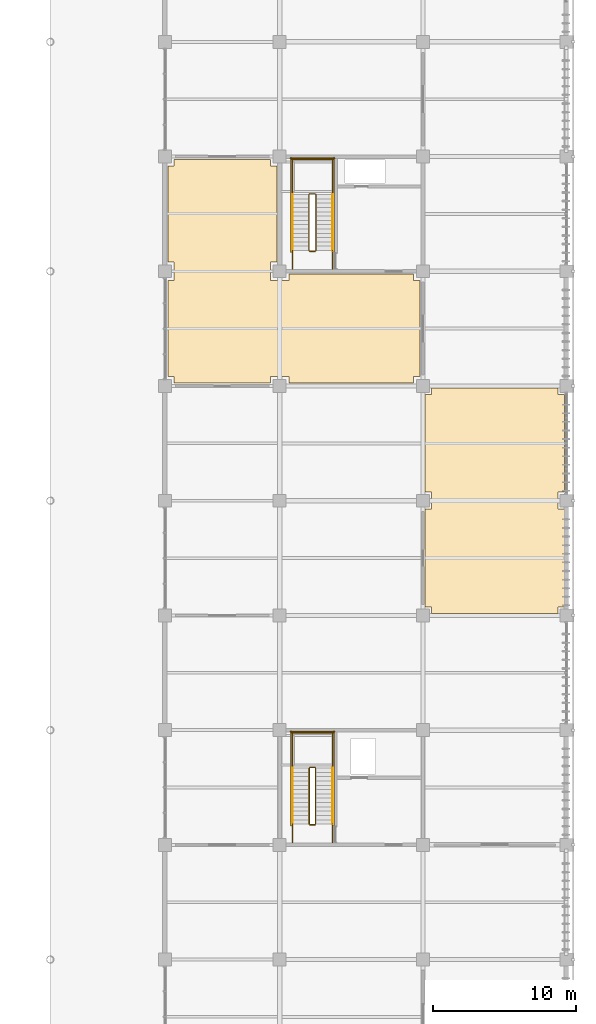
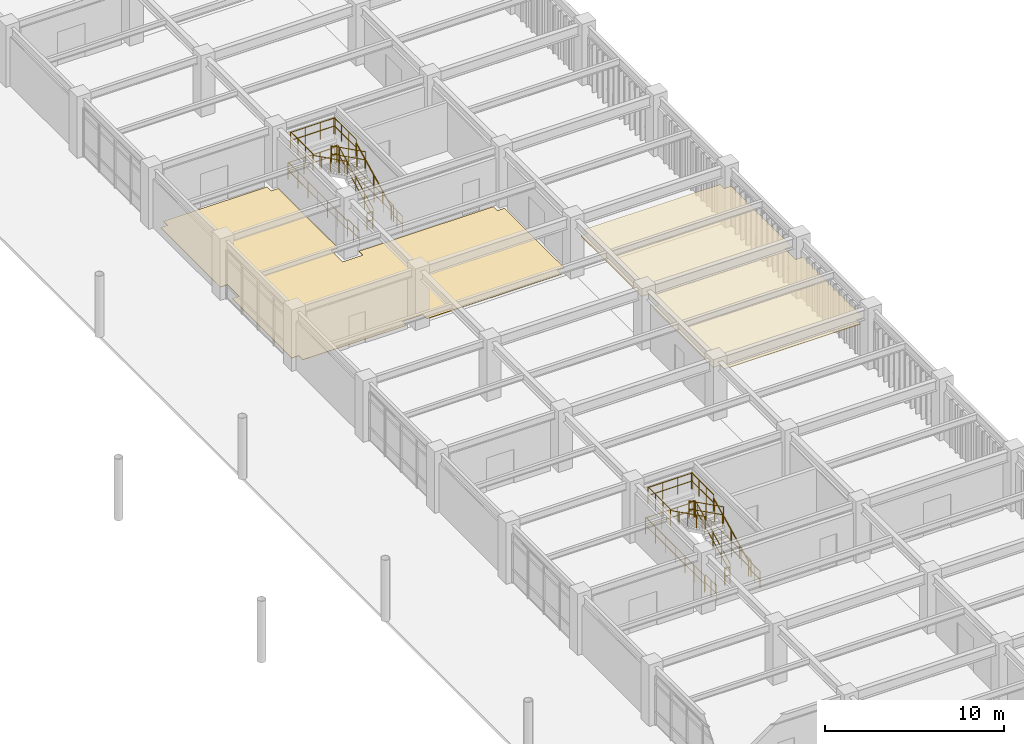
# One storey, part 114 of 118: 28 railings, 2 coverings.
"""IFC4 building model written with IfcOpenShell, lengths in metres."""

from ifc_helpers import new_model, si_unit, direction, frame, origin, origin_2d, place, context, subcontext, project, spatial, polyline, circle, outline, extrude, material, layer, layer_set, type_object, element, save


model = new_model("IFC4")

# Units and contexts
model_context = context("Model", 3, precision=1e-05, world=origin(), true_north=direction((0.0, 1.0)))
body_context = subcontext(model_context, "Body", "Model", "MODEL_VIEW")
ifc_project = project(units=[si_unit("LENGTHUNIT", "METRE"), si_unit("AREAUNIT", "SQUARE_METRE"), si_unit("VOLUMEUNIT", "CUBIC_METRE"), si_unit("PLANEANGLEUNIT", "RADIAN"), si_unit("MASSUNIT", "GRAM", prefix="KILO")], contexts=[model_context])

# Site, building, storey
site_placement = place(None, origin())
site = spatial("IfcSite", under=ifc_project, at=site_placement, CompositionType="ELEMENT")
building_placement = place(site_placement, origin())
building = spatial("IfcBuilding", under=site, at=building_placement, Name="Haebicheon Civic Stadium", CompositionType="ELEMENT")
storey_placement = place(building_placement, frame((0.0, 0.0, 14.39990234375)))
storey = spatial("IfcBuildingStorey", under=building, at=storey_placement, Name="L04", CompositionType="ELEMENT", Elevation=14.39990234375)

# Coverings
ifc_material_1 = material(Name="Perforated mineral-fibre acoustic board", Category="gypsum")
ifc_layer_1 = layer(ifc_material_1, 0.0400390625, Name="Perforated mineral-fibre acoustic board")
ifc_layer_set_1 = layer_set([ifc_layer_1], Name="Perforated mineral-fibre acoustic board")
covering_type_1 = type_object("IfcCoveringType", Name="COV-CLG-AC", PredefinedType="CEILING", material=ifc_layer_set_1)
covering_1_placement = place(storey_placement, frame((0.0, 0.0, 2.81005859375)))
element("IfcCovering", 1, at=covering_1_placement, inside=storey, type_object=covering_type_1, material=ifc_layer_set_1, Name="L04 Community Club Suite acoustic ceiling", PredefinedType="CEILING", context=body_context, shape_type="SweptSolid", body=[
    extrude(outline(polyline([(226.594970703125, 80.14501953125), (226.594970703125, 80.594970703125), (226.14501953125, 80.594970703125), (226.14501953125, 87.405029296875), (226.594970703125, 87.405029296875), (226.594970703125, 88.594970703125), (226.14501953125, 88.594970703125), (226.14501953125, 95.405029296875), (226.594970703125, 95.405029296875), (226.594970703125, 95.85498046875), (235.405029296875, 95.85498046875), (235.405029296875, 95.405029296875), (235.85498046875, 95.405029296875), (235.85498046875, 88.594970703125), (235.405029296875, 88.594970703125), (235.405029296875, 87.405029296875), (235.85498046875, 87.405029296875), (235.85498046875, 80.594970703125), (235.405029296875, 80.594970703125), (235.405029296875, 80.14501953125), (226.594970703125, 80.14501953125)])), origin(), (0.0, 0.0, 1.0), 0.0400390625),
])
ifc_material_2 = material(Name="Quartz epoxy resin mortar", Category="concrete")
ifc_layer_2 = layer(ifc_material_2, 0.030029296875, Name="Quartz epoxy resin mortar")
ifc_layer_set_2 = layer_set([ifc_layer_2], Name="Quartz epoxy resin mortar")
covering_type_2 = type_object("IfcCoveringType", Name="COV-FLR-EPX", PredefinedType="FLOORING", material=ifc_layer_set_2)
covering_2_placement = place(storey_placement, origin())
element("IfcCovering", 2, at=covering_2_placement, inside=storey, type_object=covering_type_2, material=ifc_layer_set_2, Name="L04 Community Club Suite non-slip floor finish", PredefinedType="FLOORING", context=body_context, shape_type="SweptSolid", body=[
    extrude(outline(polyline([(208.199951171875, 103.35009765625), (208.64990234375, 103.35009765625), (208.64990234375, 104.64990234375), (208.199951171875, 104.64990234375), (208.199951171875, 111.35009765625), (208.64990234375, 111.35009765625), (208.64990234375, 111.800048828125), (215.35009765625, 111.800048828125), (215.35009765625, 111.35009765625), (215.800048828125, 111.35009765625), (215.800048828125, 104.64990234375), (215.35009765625, 104.64990234375), (215.35009765625, 103.35009765625), (216.64990234375, 103.35009765625), (216.64990234375, 103.800048828125), (225.35009765625, 103.800048828125), (225.35009765625, 103.35009765625), (225.800048828125, 103.35009765625), (225.800048828125, 96.64990234375), (225.35009765625, 96.64990234375), (225.35009765625, 96.199951171875), (216.64990234375, 96.199951171875), (216.64990234375, 96.64990234375), (215.35009765625, 96.64990234375), (215.35009765625, 96.199951171875), (208.64990234375, 96.199951171875), (208.64990234375, 96.64990234375), (208.199951171875, 96.64990234375), (208.199951171875, 103.35009765625)])), origin(), (0.0, 0.0, 1.0), 0.030029296875),
])

# Railings
ifc_material_3 = material(Name="Galvanised painted steel SM355", Category="steel")
railing_type_1 = type_object("IfcRailingType", Name="RL-GRD-1150", PredefinedType="GUARDRAIL", material=ifc_material_3)
railing_1_placement = place(storey_placement, frame((218.510009765625, 65.449951171875, 0.150146484375)))
element("IfcRailing", 3, at=railing_1_placement, inside=storey, type_object=railing_type_1, material=ifc_material_3, Name="L04 ST-12 stair guard 1", PredefinedType="GUARDRAIL", context=body_context, shape_type="SweptSolid", body=[
    extrude(circle(Radius=0.02392578125, at=origin_2d()), frame((0.0, 0.0, 1.1259765625), z_axis=(0.0, 0.894438388696, 0.447191199406), x_axis=(-1.0, 0.0, 0.0)), (0.0, 0.0, 1.0), 4.3603515625),
    extrude(circle(Radius=0.02392578125, at=origin_2d()), frame((0.0, 0.0, 0.574951171875), z_axis=(0.0, 0.894438388696, 0.447191199406), x_axis=(-1.0, 0.0, 0.0)), (0.0, 0.0, 1.0), 4.3603515625),
    extrude(circle(Radius=0.02099609375, at=origin_2d()), origin(), (0.0, 0.0, 1.0), 1.101806640625),
    extrude(circle(Radius=0.02099609375, at=origin_2d()), frame((0.0, 0.97509765625, 0.487548828125)), (0.0, 0.0, 1.0), 1.101806640625),
    extrude(circle(Radius=0.02099609375, at=origin_2d()), frame((0.0, 1.9501953125, 0.97509765625)), (0.0, 0.0, 1.0), 1.101806640625),
    extrude(circle(Radius=0.02099609375, at=origin_2d()), frame((0.0, 2.925048828125, 1.46240234375)), (0.0, 0.0, 1.0), 1.101806640625),
    extrude(circle(Radius=0.02099609375, at=origin_2d()), frame((0.0, 3.900146484375, 1.949951171875)), (0.0, 0.0, 1.0), 1.101806640625),
])
railing_2_placement = place(storey_placement, frame((218.4599609375, 69.39990234375, 2.10009765625)))
element("IfcRailing", 4, at=railing_2_placement, inside=storey, type_object=railing_type_1, material=ifc_material_3, Name="L04 ST-12 stair guard 2", PredefinedType="GUARDRAIL", context=body_context, shape_type="SweptSolid", body=[
    extrude(circle(Radius=0.02392578125, at=origin_2d()), frame((0.0, 0.0, 1.1259765625), z_axis=(-1.0, 0.0, 0.0), x_axis=(0.0, -1.0, 0.0)), (0.0, 0.0, 1.0), 0.33984375),
    extrude(circle(Radius=0.02392578125, at=origin_2d()), frame((0.0, 0.0, 0.574951171875), z_axis=(-1.0, 0.0, 0.0), x_axis=(0.0, -1.0, 0.0)), (0.0, 0.0, 1.0), 0.33984375),
    extrude(circle(Radius=0.02099609375, at=origin_2d()), origin(), (0.0, 0.0, 1.0), 1.101806640625),
    extrude(circle(Radius=0.02099609375, at=origin_2d()), frame((-0.33984375, 0.0, 0.0)), (0.0, 0.0, 1.0), 1.101806640625),
])
for number, where, name in (
    (5, (219.68994140625, 69.35009765625, 2.10009765625), "L04 ST-12 stair guard 3"),
    (6, (216.889892578125, 69.35009765625, 2.10009765625), "L04 ST-12 stair guard 4"),
):
    element("IfcRailing", number, at=place(storey_placement, frame(where)), inside=storey, type_object=railing_type_1, material=ifc_material_3, Name=name, PredefinedType="GUARDRAIL", context=body_context, shape_type="SweptSolid", body=[
        extrude(circle(Radius=0.02392578125, at=origin_2d()), frame((0.0, 0.0, 1.1259765625), z_axis=(0.0, 1.0, 0.0), x_axis=(-1.0, 0.0, 0.0)), (0.0, 0.0, 1.0), 2.489990234375),
        extrude(circle(Radius=0.02392578125, at=origin_2d()), frame((0.0, 0.0, 0.574951171875), z_axis=(0.0, 1.0, 0.0), x_axis=(-1.0, 0.0, 0.0)), (0.0, 0.0, 1.0), 2.489990234375),
        extrude(circle(Radius=0.02099609375, at=origin_2d()), origin(), (0.0, 0.0, 1.0), 1.101806640625),
        extrude(circle(Radius=0.02099609375, at=origin_2d()), frame((0.0, 0.830078125, 0.0)), (0.0, 0.0, 1.0), 1.101806640625),
        extrude(circle(Radius=0.02099609375, at=origin_2d()), frame((0.0, 1.659912109375, 0.0)), (0.0, 0.0, 1.0), 1.101806640625),
        extrude(circle(Radius=0.02099609375, at=origin_2d()), frame((0.0, 2.489990234375, 0.0)), (0.0, 0.0, 1.0), 1.101806640625),
    ])
railing_3_placement = place(storey_placement, frame((219.739990234375, 71.7900390625, 2.10009765625)))
element("IfcRailing", 7, at=railing_3_placement, inside=storey, type_object=railing_type_1, material=ifc_material_3, Name="L04 ST-12 stair guard 5", PredefinedType="GUARDRAIL", context=body_context, shape_type="SweptSolid", body=[
    extrude(circle(Radius=0.02392578125, at=origin_2d()), frame((0.0, 0.0, 1.1259765625), z_axis=(-1.0, 0.0, 0.0), x_axis=(0.0, -1.0, 0.0)), (0.0, 0.0, 1.0), 2.89990234375),
    extrude(circle(Radius=0.02392578125, at=origin_2d()), frame((0.0, 0.0, 0.574951171875), z_axis=(-1.0, 0.0, 0.0), x_axis=(0.0, -1.0, 0.0)), (0.0, 0.0, 1.0), 2.89990234375),
    extrude(circle(Radius=0.02099609375, at=origin_2d()), origin(), (0.0, 0.0, 1.0), 1.101806640625),
    extrude(circle(Radius=0.02099609375, at=origin_2d()), frame((-0.966552734375, 0.0, 0.0)), (0.0, 0.0, 1.0), 1.101806640625),
    extrude(circle(Radius=0.02099609375, at=origin_2d()), frame((-1.933349609375, 0.0, 0.0)), (0.0, 0.0, 1.0), 1.101806640625),
    extrude(circle(Radius=0.02099609375, at=origin_2d()), frame((-2.89990234375, 0.0, 0.0)), (0.0, 0.0, 1.0), 1.101806640625),
])
railing_4_placement = place(storey_placement, frame((218.070068359375, 69.35009765625, 2.25)))
element("IfcRailing", 8, at=railing_4_placement, inside=storey, type_object=railing_type_1, material=ifc_material_3, Name="L04 ST-12 stair guard 6", PredefinedType="GUARDRAIL", context=body_context, shape_type="SweptSolid", body=[
    extrude(circle(Radius=0.02392578125, at=origin_2d()), frame((0.0, 0.0, 1.1259765625), z_axis=(0.0, -0.894415993023, 0.447235990752), x_axis=(1.0, 0.0, 0.0)), (0.0, 0.0, 1.0), 4.360595703125),
    extrude(circle(Radius=0.02392578125, at=origin_2d()), frame((0.0, 0.0, 0.574951171875), z_axis=(0.0, -0.894415993023, 0.447235990752), x_axis=(1.0, 0.0, 0.0)), (0.0, 0.0, 1.0), 4.360595703125),
    extrude(circle(Radius=0.02099609375, at=origin_2d()), origin(), (0.0, 0.0, 1.0), 1.101806640625),
    extrude(circle(Radius=0.02099609375, at=origin_2d()), frame((0.0, -0.97509765625, 0.487548828125)), (0.0, 0.0, 1.0), 1.101806640625),
    extrude(circle(Radius=0.02099609375, at=origin_2d()), frame((0.0, -1.9501953125, 0.97509765625)), (0.0, 0.0, 1.0), 1.101806640625),
    extrude(circle(Radius=0.02099609375, at=origin_2d()), frame((0.0, -2.925048828125, 1.462646484375)), (0.0, 0.0, 1.0), 1.101806640625),
    extrude(circle(Radius=0.02099609375, at=origin_2d()), frame((0.0, -3.900146484375, 1.9501953125)), (0.0, 0.0, 1.0), 1.101806640625),
])
railing_5_placement = place(storey_placement, frame((218.4599609375, 65.39990234375, 0.0)))
element("IfcRailing", 9, at=railing_5_placement, inside=storey, type_object=railing_type_1, material=ifc_material_3, Name="L04 ST-12 stair guard 7", PredefinedType="GUARDRAIL", context=body_context, shape_type="SweptSolid", body=[
    extrude(circle(Radius=0.02392578125, at=origin_2d()), frame((0.0, 0.0, 1.1259765625), z_axis=(-1.0, 0.0, 0.0), x_axis=(0.0, -1.0, 0.0)), (0.0, 0.0, 1.0), 0.33984375),
    extrude(circle(Radius=0.02392578125, at=origin_2d()), frame((0.0, 0.0, 0.574951171875), z_axis=(-1.0, 0.0, 0.0), x_axis=(0.0, -1.0, 0.0)), (0.0, 0.0, 1.0), 0.33984375),
    extrude(circle(Radius=0.02099609375, at=origin_2d()), origin(), (0.0, 0.0, 1.0), 1.101806640625),
    extrude(circle(Radius=0.02099609375, at=origin_2d()), frame((-0.33984375, 0.0, 0.0)), (0.0, 0.0, 1.0), 1.101806640625),
])
for number, where, name in (
    (10, (219.68994140625, 64.159912109375, 0.0), "L04 ST-12 stair guard 8"),
    (11, (216.889892578125, 64.159912109375, 0.0), "L04 ST-12 stair guard 9"),
):
    element("IfcRailing", number, at=place(storey_placement, frame(where)), inside=storey, type_object=railing_type_1, material=ifc_material_3, Name=name, PredefinedType="GUARDRAIL", context=body_context, shape_type="SweptSolid", body=[
        extrude(circle(Radius=0.02392578125, at=origin_2d()), frame((0.0, 0.0, 1.1259765625), z_axis=(0.0, 1.0, 0.0), x_axis=(-1.0, 0.0, 0.0)), (0.0, 0.0, 1.0), 1.2900390625),
        extrude(circle(Radius=0.02392578125, at=origin_2d()), frame((0.0, 0.0, 0.574951171875), z_axis=(0.0, 1.0, 0.0), x_axis=(-1.0, 0.0, 0.0)), (0.0, 0.0, 1.0), 1.2900390625),
        extrude(circle(Radius=0.02099609375, at=origin_2d()), origin(), (0.0, 0.0, 1.0), 1.101806640625),
        extrude(circle(Radius=0.02099609375, at=origin_2d()), frame((0.0, 0.64501953125, 0.0)), (0.0, 0.0, 1.0), 1.101806640625),
        extrude(circle(Radius=0.02099609375, at=origin_2d()), frame((0.0, 1.2900390625, 0.0)), (0.0, 0.0, 1.0), 1.101806640625),
    ])
for number, where, name in (
    (12, (219.7900390625, 65.35009765625, 0.0), "L04 ST-12 stair guard 10"),
    (13, (216.7900390625, 65.35009765625, 0.0), "L04 ST-12 stair guard 11"),
):
    element("IfcRailing", number, at=place(storey_placement, frame(where)), inside=storey, type_object=railing_type_1, material=ifc_material_3, Name=name, PredefinedType="GUARDRAIL", context=body_context, shape_type="SweptSolid", body=[
        extrude(circle(Radius=0.02392578125, at=origin_2d()), frame((0.0, 0.0, 1.1259765625), z_axis=(0.0, 1.0, 0.0), x_axis=(-1.0, 0.0, 0.0)), (0.0, 0.0, 1.0), 6.58984375),
        extrude(circle(Radius=0.02392578125, at=origin_2d()), frame((0.0, 0.0, 0.574951171875), z_axis=(0.0, 1.0, 0.0), x_axis=(-1.0, 0.0, 0.0)), (0.0, 0.0, 1.0), 6.58984375),
        extrude(circle(Radius=0.02099609375, at=origin_2d()), origin(), (0.0, 0.0, 1.0), 1.101806640625),
        extrude(circle(Radius=0.02099609375, at=origin_2d()), frame((0.0, 1.098388671875, 0.0)), (0.0, 0.0, 1.0), 1.101806640625),
        extrude(circle(Radius=0.02099609375, at=origin_2d()), frame((0.0, 2.196533203125, 0.0)), (0.0, 0.0, 1.0), 1.101806640625),
        extrude(circle(Radius=0.02099609375, at=origin_2d()), frame((0.0, 3.294921875, 0.0)), (0.0, 0.0, 1.0), 1.101806640625),
        extrude(circle(Radius=0.02099609375, at=origin_2d()), frame((0.0, 4.393310546875, 0.0)), (0.0, 0.0, 1.0), 1.101806640625),
        extrude(circle(Radius=0.02099609375, at=origin_2d()), frame((0.0, 5.491455078125, 0.0)), (0.0, 0.0, 1.0), 1.101806640625),
        extrude(circle(Radius=0.02099609375, at=origin_2d()), frame((0.0, 6.58984375, 0.0)), (0.0, 0.0, 1.0), 1.101806640625),
    ])
railing_6_placement = place(storey_placement, frame((219.840087890625, 71.889892578125, 0.0)))
element("IfcRailing", 14, at=railing_6_placement, inside=storey, type_object=railing_type_1, material=ifc_material_3, Name="L04 ST-12 stair guard 12", PredefinedType="GUARDRAIL", context=body_context, shape_type="SweptSolid", body=[
    extrude(circle(Radius=0.02392578125, at=origin_2d()), frame((0.0, 0.0, 1.1259765625), z_axis=(-1.0, 0.0, 0.0), x_axis=(0.0, -1.0, 0.0)), (0.0, 0.0, 1.0), 3.10009765625),
    extrude(circle(Radius=0.02392578125, at=origin_2d()), frame((0.0, 0.0, 0.574951171875), z_axis=(-1.0, 0.0, 0.0), x_axis=(0.0, -1.0, 0.0)), (0.0, 0.0, 1.0), 3.10009765625),
    extrude(circle(Radius=0.02099609375, at=origin_2d()), origin(), (0.0, 0.0, 1.0), 1.101806640625),
    extrude(circle(Radius=0.02099609375, at=origin_2d()), frame((-1.033447265625, 0.0, 0.0)), (0.0, 0.0, 1.0), 1.101806640625),
    extrude(circle(Radius=0.02099609375, at=origin_2d()), frame((-2.066650390625, 0.0, 0.0)), (0.0, 0.0, 1.0), 1.101806640625),
    extrude(circle(Radius=0.02099609375, at=origin_2d()), frame((-3.10009765625, 0.0, 0.0)), (0.0, 0.0, 1.0), 1.101806640625),
])
railing_7_placement = place(storey_placement, frame((218.530029296875, 105.449951171875, 0.150146484375)))
element("IfcRailing", 15, at=railing_7_placement, inside=storey, type_object=railing_type_1, material=ifc_material_3, Name="L04 ST-13 stair guard 1", PredefinedType="GUARDRAIL", context=body_context, shape_type="SweptSolid", body=[
    extrude(circle(Radius=0.02392578125, at=origin_2d()), frame((0.0, 0.0, 1.1259765625), z_axis=(0.0, 0.894438388696, 0.447191199406), x_axis=(-1.0, 0.0, 0.0)), (0.0, 0.0, 1.0), 4.3603515625),
    extrude(circle(Radius=0.02392578125, at=origin_2d()), frame((0.0, 0.0, 0.574951171875), z_axis=(0.0, 0.894438388696, 0.447191199406), x_axis=(-1.0, 0.0, 0.0)), (0.0, 0.0, 1.0), 4.3603515625),
    extrude(circle(Radius=0.02099609375, at=origin_2d()), origin(), (0.0, 0.0, 1.0), 1.101806640625),
    extrude(circle(Radius=0.02099609375, at=origin_2d()), frame((0.0, 0.97509765625, 0.487548828125)), (0.0, 0.0, 1.0), 1.101806640625),
    extrude(circle(Radius=0.02099609375, at=origin_2d()), frame((0.0, 1.9501953125, 0.97509765625)), (0.0, 0.0, 1.0), 1.101806640625),
    extrude(circle(Radius=0.02099609375, at=origin_2d()), frame((0.0, 2.925048828125, 1.46240234375)), (0.0, 0.0, 1.0), 1.101806640625),
    extrude(circle(Radius=0.02099609375, at=origin_2d()), frame((0.0, 3.900146484375, 1.949951171875)), (0.0, 0.0, 1.0), 1.101806640625),
])
railing_8_placement = place(storey_placement, frame((218.47998046875, 109.39990234375, 2.10009765625)))
element("IfcRailing", 16, at=railing_8_placement, inside=storey, type_object=railing_type_1, material=ifc_material_3, Name="L04 ST-13 stair guard 2", PredefinedType="GUARDRAIL", context=body_context, shape_type="SweptSolid", body=[
    extrude(circle(Radius=0.02392578125, at=origin_2d()), frame((0.0, 0.0, 1.1259765625), z_axis=(-1.0, 0.0, 0.0), x_axis=(0.0, -1.0, 0.0)), (0.0, 0.0, 1.0), 0.3798828125),
    extrude(circle(Radius=0.02392578125, at=origin_2d()), frame((0.0, 0.0, 0.574951171875), z_axis=(-1.0, 0.0, 0.0), x_axis=(0.0, -1.0, 0.0)), (0.0, 0.0, 1.0), 0.3798828125),
    extrude(circle(Radius=0.02099609375, at=origin_2d()), origin(), (0.0, 0.0, 1.0), 1.101806640625),
    extrude(circle(Radius=0.02099609375, at=origin_2d()), frame((-0.3798828125, 0.0, 0.0)), (0.0, 0.0, 1.0), 1.101806640625),
])
for number, where, name in (
    (17, (219.68994140625, 109.35009765625, 2.10009765625), "L04 ST-13 stair guard 3"),
    (18, (216.889892578125, 109.35009765625, 2.10009765625), "L04 ST-13 stair guard 4"),
):
    element("IfcRailing", number, at=place(storey_placement, frame(where)), inside=storey, type_object=railing_type_1, material=ifc_material_3, Name=name, PredefinedType="GUARDRAIL", context=body_context, shape_type="SweptSolid", body=[
        extrude(circle(Radius=0.02392578125, at=origin_2d()), frame((0.0, 0.0, 1.1259765625), z_axis=(0.0, 1.0, 0.0), x_axis=(-1.0, 0.0, 0.0)), (0.0, 0.0, 1.0), 2.489990234375),
        extrude(circle(Radius=0.02392578125, at=origin_2d()), frame((0.0, 0.0, 0.574951171875), z_axis=(0.0, 1.0, 0.0), x_axis=(-1.0, 0.0, 0.0)), (0.0, 0.0, 1.0), 2.489990234375),
        extrude(circle(Radius=0.02099609375, at=origin_2d()), origin(), (0.0, 0.0, 1.0), 1.101806640625),
        extrude(circle(Radius=0.02099609375, at=origin_2d()), frame((0.0, 0.830078125, 0.0)), (0.0, 0.0, 1.0), 1.101806640625),
        extrude(circle(Radius=0.02099609375, at=origin_2d()), frame((0.0, 1.659912109375, 0.0)), (0.0, 0.0, 1.0), 1.101806640625),
        extrude(circle(Radius=0.02099609375, at=origin_2d()), frame((0.0, 2.489990234375, 0.0)), (0.0, 0.0, 1.0), 1.101806640625),
    ])
railing_9_placement = place(storey_placement, frame((219.739990234375, 111.7900390625, 2.10009765625)))
element("IfcRailing", 19, at=railing_9_placement, inside=storey, type_object=railing_type_1, material=ifc_material_3, Name="L04 ST-13 stair guard 5", PredefinedType="GUARDRAIL", context=body_context, shape_type="SweptSolid", body=[
    extrude(circle(Radius=0.02392578125, at=origin_2d()), frame((0.0, 0.0, 1.1259765625), z_axis=(-1.0, 0.0, 0.0), x_axis=(0.0, -1.0, 0.0)), (0.0, 0.0, 1.0), 2.89990234375),
    extrude(circle(Radius=0.02392578125, at=origin_2d()), frame((0.0, 0.0, 0.574951171875), z_axis=(-1.0, 0.0, 0.0), x_axis=(0.0, -1.0, 0.0)), (0.0, 0.0, 1.0), 2.89990234375),
    extrude(circle(Radius=0.02099609375, at=origin_2d()), origin(), (0.0, 0.0, 1.0), 1.101806640625),
    extrude(circle(Radius=0.02099609375, at=origin_2d()), frame((-0.966552734375, 0.0, 0.0)), (0.0, 0.0, 1.0), 1.101806640625),
    extrude(circle(Radius=0.02099609375, at=origin_2d()), frame((-1.933349609375, 0.0, 0.0)), (0.0, 0.0, 1.0), 1.101806640625),
    extrude(circle(Radius=0.02099609375, at=origin_2d()), frame((-2.89990234375, 0.0, 0.0)), (0.0, 0.0, 1.0), 1.101806640625),
])
railing_10_placement = place(storey_placement, frame((218.050048828125, 109.35009765625, 2.25)))
element("IfcRailing", 20, at=railing_10_placement, inside=storey, type_object=railing_type_1, material=ifc_material_3, Name="L04 ST-13 stair guard 6", PredefinedType="GUARDRAIL", context=body_context, shape_type="SweptSolid", body=[
    extrude(circle(Radius=0.02392578125, at=origin_2d()), frame((0.0, 0.0, 1.1259765625), z_axis=(0.0, -0.894415993023, 0.447235990752), x_axis=(1.0, 0.0, 0.0)), (0.0, 0.0, 1.0), 4.360595703125),
    extrude(circle(Radius=0.02392578125, at=origin_2d()), frame((0.0, 0.0, 0.574951171875), z_axis=(0.0, -0.894415993023, 0.447235990752), x_axis=(1.0, 0.0, 0.0)), (0.0, 0.0, 1.0), 4.360595703125),
    extrude(circle(Radius=0.02099609375, at=origin_2d()), origin(), (0.0, 0.0, 1.0), 1.101806640625),
    extrude(circle(Radius=0.02099609375, at=origin_2d()), frame((0.0, -0.97509765625, 0.487548828125)), (0.0, 0.0, 1.0), 1.101806640625),
    extrude(circle(Radius=0.02099609375, at=origin_2d()), frame((0.0, -1.9501953125, 0.97509765625)), (0.0, 0.0, 1.0), 1.101806640625),
    extrude(circle(Radius=0.02099609375, at=origin_2d()), frame((0.0, -2.925048828125, 1.462646484375)), (0.0, 0.0, 1.0), 1.101806640625),
    extrude(circle(Radius=0.02099609375, at=origin_2d()), frame((0.0, -3.900146484375, 1.9501953125)), (0.0, 0.0, 1.0), 1.101806640625),
])
railing_11_placement = place(storey_placement, frame((218.47998046875, 105.39990234375, 0.0)))
element("IfcRailing", 21, at=railing_11_placement, inside=storey, type_object=railing_type_1, material=ifc_material_3, Name="L04 ST-13 stair guard 7", PredefinedType="GUARDRAIL", context=body_context, shape_type="SweptSolid", body=[
    extrude(circle(Radius=0.02392578125, at=origin_2d()), frame((0.0, 0.0, 1.1259765625), z_axis=(-1.0, 0.0, 0.0), x_axis=(0.0, -1.0, 0.0)), (0.0, 0.0, 1.0), 0.3798828125),
    extrude(circle(Radius=0.02392578125, at=origin_2d()), frame((0.0, 0.0, 0.574951171875), z_axis=(-1.0, 0.0, 0.0), x_axis=(0.0, -1.0, 0.0)), (0.0, 0.0, 1.0), 0.3798828125),
    extrude(circle(Radius=0.02099609375, at=origin_2d()), origin(), (0.0, 0.0, 1.0), 1.101806640625),
    extrude(circle(Radius=0.02099609375, at=origin_2d()), frame((-0.3798828125, 0.0, 0.0)), (0.0, 0.0, 1.0), 1.101806640625),
])
for number, where, name in (
    (22, (219.68994140625, 104.159912109375, 0.0), "L04 ST-13 stair guard 8"),
    (23, (216.889892578125, 104.159912109375, 0.0), "L04 ST-13 stair guard 9"),
):
    element("IfcRailing", number, at=place(storey_placement, frame(where)), inside=storey, type_object=railing_type_1, material=ifc_material_3, Name=name, PredefinedType="GUARDRAIL", context=body_context, shape_type="SweptSolid", body=[
        extrude(circle(Radius=0.02392578125, at=origin_2d()), frame((0.0, 0.0, 1.1259765625), z_axis=(0.0, 1.0, 0.0), x_axis=(-1.0, 0.0, 0.0)), (0.0, 0.0, 1.0), 1.2900390625),
        extrude(circle(Radius=0.02392578125, at=origin_2d()), frame((0.0, 0.0, 0.574951171875), z_axis=(0.0, 1.0, 0.0), x_axis=(-1.0, 0.0, 0.0)), (0.0, 0.0, 1.0), 1.2900390625),
        extrude(circle(Radius=0.02099609375, at=origin_2d()), origin(), (0.0, 0.0, 1.0), 1.101806640625),
        extrude(circle(Radius=0.02099609375, at=origin_2d()), frame((0.0, 0.64501953125, 0.0)), (0.0, 0.0, 1.0), 1.101806640625),
        extrude(circle(Radius=0.02099609375, at=origin_2d()), frame((0.0, 1.2900390625, 0.0)), (0.0, 0.0, 1.0), 1.101806640625),
    ])
for number, where, name in (
    (24, (219.7900390625, 105.35009765625, 0.0), "L04 ST-13 stair guard 10"),
    (25, (216.7900390625, 105.35009765625, 0.0), "L04 ST-13 stair guard 11"),
):
    element("IfcRailing", number, at=place(storey_placement, frame(where)), inside=storey, type_object=railing_type_1, material=ifc_material_3, Name=name, PredefinedType="GUARDRAIL", context=body_context, shape_type="SweptSolid", body=[
        extrude(circle(Radius=0.02392578125, at=origin_2d()), frame((0.0, 0.0, 1.1259765625), z_axis=(0.0, 1.0, 0.0), x_axis=(-1.0, 0.0, 0.0)), (0.0, 0.0, 1.0), 6.58984375),
        extrude(circle(Radius=0.02392578125, at=origin_2d()), frame((0.0, 0.0, 0.574951171875), z_axis=(0.0, 1.0, 0.0), x_axis=(-1.0, 0.0, 0.0)), (0.0, 0.0, 1.0), 6.58984375),
        extrude(circle(Radius=0.02099609375, at=origin_2d()), origin(), (0.0, 0.0, 1.0), 1.101806640625),
        extrude(circle(Radius=0.02099609375, at=origin_2d()), frame((0.0, 1.098388671875, 0.0)), (0.0, 0.0, 1.0), 1.101806640625),
        extrude(circle(Radius=0.02099609375, at=origin_2d()), frame((0.0, 2.196533203125, 0.0)), (0.0, 0.0, 1.0), 1.101806640625),
        extrude(circle(Radius=0.02099609375, at=origin_2d()), frame((0.0, 3.294921875, 0.0)), (0.0, 0.0, 1.0), 1.101806640625),
        extrude(circle(Radius=0.02099609375, at=origin_2d()), frame((0.0, 4.393310546875, 0.0)), (0.0, 0.0, 1.0), 1.101806640625),
        extrude(circle(Radius=0.02099609375, at=origin_2d()), frame((0.0, 5.491455078125, 0.0)), (0.0, 0.0, 1.0), 1.101806640625),
        extrude(circle(Radius=0.02099609375, at=origin_2d()), frame((0.0, 6.58984375, 0.0)), (0.0, 0.0, 1.0), 1.101806640625),
    ])
railing_12_placement = place(storey_placement, frame((219.840087890625, 111.889892578125, 0.0)))
element("IfcRailing", 26, at=railing_12_placement, inside=storey, type_object=railing_type_1, material=ifc_material_3, Name="L04 ST-13 stair guard 12", PredefinedType="GUARDRAIL", context=body_context, shape_type="SweptSolid", body=[
    extrude(circle(Radius=0.02392578125, at=origin_2d()), frame((0.0, 0.0, 1.1259765625), z_axis=(-1.0, 0.0, 0.0), x_axis=(0.0, -1.0, 0.0)), (0.0, 0.0, 1.0), 3.10009765625),
    extrude(circle(Radius=0.02392578125, at=origin_2d()), frame((0.0, 0.0, 0.574951171875), z_axis=(-1.0, 0.0, 0.0), x_axis=(0.0, -1.0, 0.0)), (0.0, 0.0, 1.0), 3.10009765625),
    extrude(circle(Radius=0.02099609375, at=origin_2d()), origin(), (0.0, 0.0, 1.0), 1.101806640625),
    extrude(circle(Radius=0.02099609375, at=origin_2d()), frame((-1.033447265625, 0.0, 0.0)), (0.0, 0.0, 1.0), 1.101806640625),
    extrude(circle(Radius=0.02099609375, at=origin_2d()), frame((-2.066650390625, 0.0, 0.0)), (0.0, 0.0, 1.0), 1.101806640625),
    extrude(circle(Radius=0.02099609375, at=origin_2d()), frame((-3.10009765625, 0.0, 0.0)), (0.0, 0.0, 1.0), 1.101806640625),
])
ifc_material_4 = material(Name="Stainless steel 316", Category="steel")
railing_type_2 = type_object("IfcRailingType", Name="RL-HND-900", PredefinedType="HANDRAIL", material=ifc_material_4)
railing_13_placement = place(storey_placement, frame((219.68994140625, 65.449951171875, 0.150146484375)))
element("IfcRailing", 27, at=railing_13_placement, inside=storey, type_object=railing_type_2, material=ifc_material_4, Name="L04 ST-12 stair handrail 1", PredefinedType="HANDRAIL", context=body_context, shape_type="SweptSolid", body=[
    extrude(circle(Radius=0.02392578125, at=origin_2d()), frame((0.0, 0.0, 0.8759765625), z_axis=(0.0, 0.894438388696, 0.447191199406), x_axis=(-1.0, 0.0, 0.0)), (0.0, 0.0, 1.0), 4.3603515625),
    extrude(circle(Radius=0.02099609375, at=origin_2d()), origin(), (0.0, 0.0, 1.0), 0.851806640625),
    extrude(circle(Radius=0.02099609375, at=origin_2d()), frame((0.0, 0.97509765625, 0.487548828125)), (0.0, 0.0, 1.0), 0.851806640625),
    extrude(circle(Radius=0.02099609375, at=origin_2d()), frame((0.0, 1.9501953125, 0.97509765625)), (0.0, 0.0, 1.0), 0.851806640625),
    extrude(circle(Radius=0.02099609375, at=origin_2d()), frame((0.0, 2.925048828125, 1.46240234375)), (0.0, 0.0, 1.0), 0.851806640625),
    extrude(circle(Radius=0.02099609375, at=origin_2d()), frame((0.0, 3.900146484375, 1.949951171875)), (0.0, 0.0, 1.0), 0.851806640625),
])
railing_14_placement = place(storey_placement, frame((216.889892578125, 69.35009765625, 2.25)))
element("IfcRailing", 28, at=railing_14_placement, inside=storey, type_object=railing_type_2, material=ifc_material_4, Name="L04 ST-12 stair handrail 2", PredefinedType="HANDRAIL", context=body_context, shape_type="SweptSolid", body=[
    extrude(circle(Radius=0.02392578125, at=origin_2d()), frame((0.0, 0.0, 0.8759765625), z_axis=(0.0, -0.894415993023, 0.447235990752), x_axis=(1.0, 0.0, 0.0)), (0.0, 0.0, 1.0), 4.360595703125),
    extrude(circle(Radius=0.02099609375, at=origin_2d()), origin(), (0.0, 0.0, 1.0), 0.851806640625),
    extrude(circle(Radius=0.02099609375, at=origin_2d()), frame((0.0, -0.97509765625, 0.487548828125)), (0.0, 0.0, 1.0), 0.851806640625),
    extrude(circle(Radius=0.02099609375, at=origin_2d()), frame((0.0, -1.9501953125, 0.97509765625)), (0.0, 0.0, 1.0), 0.851806640625),
    extrude(circle(Radius=0.02099609375, at=origin_2d()), frame((0.0, -2.925048828125, 1.462646484375)), (0.0, 0.0, 1.0), 0.851806640625),
    extrude(circle(Radius=0.02099609375, at=origin_2d()), frame((0.0, -3.900146484375, 1.9501953125)), (0.0, 0.0, 1.0), 0.851806640625),
])
railing_15_placement = place(storey_placement, frame((219.68994140625, 105.449951171875, 0.150146484375)))
element("IfcRailing", 29, at=railing_15_placement, inside=storey, type_object=railing_type_2, material=ifc_material_4, Name="L04 ST-13 stair handrail 1", PredefinedType="HANDRAIL", context=body_context, shape_type="SweptSolid", body=[
    extrude(circle(Radius=0.02392578125, at=origin_2d()), frame((0.0, 0.0, 0.8759765625), z_axis=(0.0, 0.894438388696, 0.447191199406), x_axis=(-1.0, 0.0, 0.0)), (0.0, 0.0, 1.0), 4.3603515625),
    extrude(circle(Radius=0.02099609375, at=origin_2d()), origin(), (0.0, 0.0, 1.0), 0.851806640625),
    extrude(circle(Radius=0.02099609375, at=origin_2d()), frame((0.0, 0.97509765625, 0.487548828125)), (0.0, 0.0, 1.0), 0.851806640625),
    extrude(circle(Radius=0.02099609375, at=origin_2d()), frame((0.0, 1.9501953125, 0.97509765625)), (0.0, 0.0, 1.0), 0.851806640625),
    extrude(circle(Radius=0.02099609375, at=origin_2d()), frame((0.0, 2.925048828125, 1.46240234375)), (0.0, 0.0, 1.0), 0.851806640625),
    extrude(circle(Radius=0.02099609375, at=origin_2d()), frame((0.0, 3.900146484375, 1.949951171875)), (0.0, 0.0, 1.0), 0.851806640625),
])
railing_16_placement = place(storey_placement, frame((216.889892578125, 109.35009765625, 2.25)))
element("IfcRailing", 30, at=railing_16_placement, inside=storey, type_object=railing_type_2, material=ifc_material_4, Name="L04 ST-13 stair handrail 2", PredefinedType="HANDRAIL", context=body_context, shape_type="SweptSolid", body=[
    extrude(circle(Radius=0.02392578125, at=origin_2d()), frame((0.0, 0.0, 0.8759765625), z_axis=(0.0, -0.894415993023, 0.447235990752), x_axis=(1.0, 0.0, 0.0)), (0.0, 0.0, 1.0), 4.360595703125),
    extrude(circle(Radius=0.02099609375, at=origin_2d()), origin(), (0.0, 0.0, 1.0), 0.851806640625),
    extrude(circle(Radius=0.02099609375, at=origin_2d()), frame((0.0, -0.97509765625, 0.487548828125)), (0.0, 0.0, 1.0), 0.851806640625),
    extrude(circle(Radius=0.02099609375, at=origin_2d()), frame((0.0, -1.9501953125, 0.97509765625)), (0.0, 0.0, 1.0), 0.851806640625),
    extrude(circle(Radius=0.02099609375, at=origin_2d()), frame((0.0, -2.925048828125, 1.462646484375)), (0.0, 0.0, 1.0), 0.851806640625),
    extrude(circle(Radius=0.02099609375, at=origin_2d()), frame((0.0, -3.900146484375, 1.9501953125)), (0.0, 0.0, 1.0), 0.851806640625),
])

save(model, "model.ifc")
